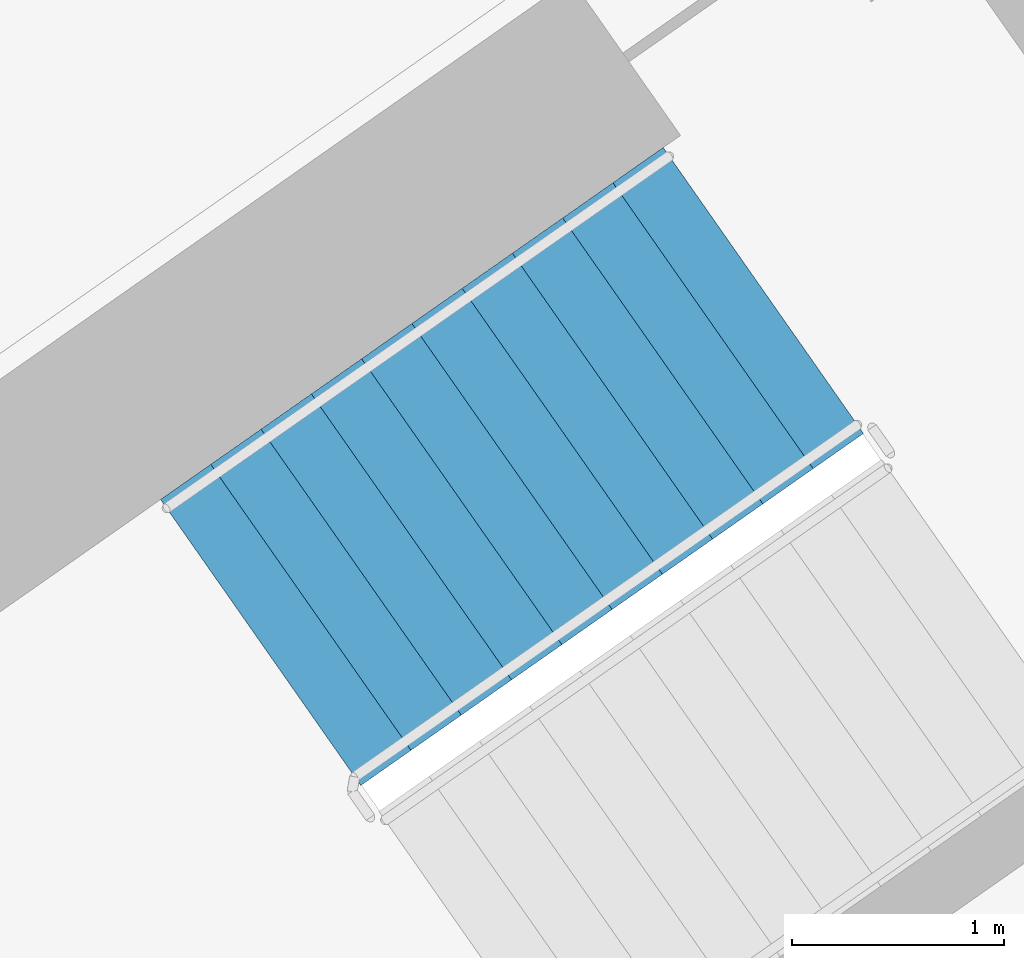
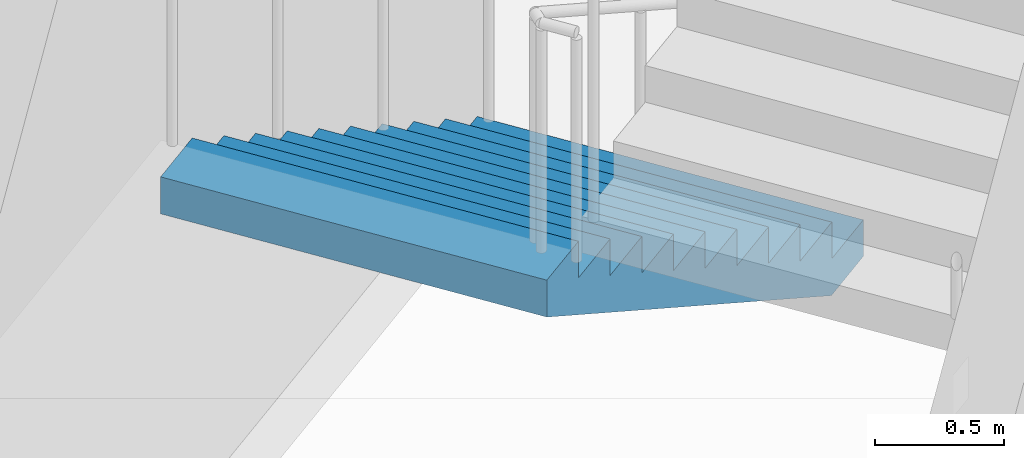
# One storey, part 18 of 32: 1 stair flight, 1 element without a shape of its own.
"""IFC4 building model written with IfcOpenShell, lengths in metres."""

from ifc_helpers import new_model, si_unit, direction, frame, origin, place, context, subcontext, project, spatial, faceted_brep, material, type_object, element, aggregate, save


model = new_model("IFC4")

# Units and contexts
model_context = context("Model", 3, precision=1e-05, world=origin(), true_north=direction((0.0, 1.0)))
body_context = subcontext(model_context, "Body", "Model", "MODEL_VIEW")
ifc_project = project(units=[si_unit("LENGTHUNIT", "METRE"), si_unit("AREAUNIT", "SQUARE_METRE"), si_unit("VOLUMEUNIT", "CUBIC_METRE"), si_unit("PLANEANGLEUNIT", "RADIAN"), si_unit("MASSUNIT", "GRAM", prefix="KILO")], contexts=[model_context])

# Site, building, storey
site_placement = place(None, origin())
site = spatial("IfcSite", under=ifc_project, at=site_placement, CompositionType="ELEMENT")
building_placement = place(site_placement, origin())
building = spatial("IfcBuilding", under=site, at=building_placement, Name="Qamariyya Broadcast Tower", CompositionType="ELEMENT")
storey_placement = place(building_placement, frame((0.0, 0.0, 63.300048828125)))
storey = spatial("IfcBuildingStorey", under=building, at=storey_placement, Name="L12", CompositionType="ELEMENT", Elevation=63.300048828125)

# Stair, stair flight
ifc_material = material(Name="Concrete C50/60", Category="concrete")
stair_type = type_object("IfcStairType", Name="Exit stair 22 risers of 173 mm", PredefinedType="HALF_TURN_STAIR", material=ifc_material)
stair_placement = place(storey_placement, origin())
stair = element("IfcStair", 1, at=stair_placement, inside=storey, type_object=stair_type, Name="L12 Stair E2", PredefinedType="HALF_TURN_STAIR")
stair_flight_type = type_object("IfcStairFlightType", Name="Exit stair flight 11 risers of 173 mm", PredefinedType="STRAIGHT", material=ifc_material)
stair_flight_placement = place(storey_placement, frame((40.558837890625, -47.685302734375, 0.0), z_axis=(0.0, 0.0, 1.0), x_axis=(-0.819152044289, -0.573576436351, 0.0)))
stair_flight = element("IfcStairFlight", 2, at=stair_flight_placement, type_object=stair_flight_type, Name="ST-E2 flight 1", NumberOfRisers=11, NumberOfTreads=10, PredefinedType="STRAIGHT", RiserHeight=0.172727273, TreadLength=0.29, context=body_context, shape_type="Brep", body=[
    faceted_brep([(0.0, 0.824951171875, 0.0), (0.0, 0.824951171875, 0.172607421875), (0.2900390625, 0.824951171875, 0.172607421875), (0.2900390625, 0.824951171875, 0.345458984375), (0.580078125, 0.824951171875, 0.345458984375), (0.580078125, 0.824951171875, 0.51806640625), (0.8701171875, 0.824951171875, 0.51806640625), (0.8701171875, 0.824951171875, 0.69091796875), (1.159912109375, 0.824951171875, 0.69091796875), (1.159912109375, 0.824951171875, 0.863525390625), (1.449951171875, 0.824951171875, 0.863525390625), (1.449951171875, 0.824951171875, 1.036376953125), (1.739990234375, 0.824951171875, 1.036376953125), (1.739990234375, 0.824951171875, 1.208984375), (2.030029296875, 0.824951171875, 1.208984375), (2.030029296875, 0.824951171875, 1.3818359375), (2.320068359375, 0.824951171875, 1.3818359375), (2.320068359375, 0.824951171875, 1.554443359375), (2.610107421875, 0.824951171875, 1.554443359375), (2.610107421875, 0.824951171875, 1.727294921875), (2.89990234375, 0.824951171875, 1.727294921875), (2.89990234375, 0.824951171875, 1.552734375), (0.29296875, 0.824951171875, 0.0), (0.29296875, -0.824951171875, 0.0), (2.89990234375, -0.824951171875, 1.552734375), (2.89990234375, -0.824951171875, 1.727294921875), (2.610107421875, -0.824951171875, 1.727294921875), (2.610107421875, -0.824951171875, 1.554443359375), (2.320068359375, -0.824951171875, 1.554443359375), (2.320068359375, -0.824951171875, 1.3818359375), (2.030029296875, -0.824951171875, 1.3818359375), (2.030029296875, -0.824951171875, 1.208984375), (1.739990234375, -0.824951171875, 1.208984375), (1.739990234375, -0.824951171875, 1.036376953125), (1.449951171875, -0.824951171875, 1.036376953125), (1.449951171875, -0.824951171875, 0.863525390625), (1.159912109375, -0.824951171875, 0.863525390625), (1.159912109375, -0.824951171875, 0.69091796875), (0.8701171875, -0.824951171875, 0.69091796875), (0.8701171875, -0.824951171875, 0.51806640625), (0.580078125, -0.824951171875, 0.51806640625), (0.580078125, -0.824951171875, 0.345458984375), (0.2900390625, -0.824951171875, 0.345458984375), (0.2900390625, -0.824951171875, 0.172607421875), (0.0, -0.824951171875, 0.172607421875), (0.0, -0.824951171875, 0.0), (0.0, 0.10009765625, 0.0), (0.0, 0.086669921875, 0.0), (0.0, 0.0732421875, 0.0), (0.0, 0.06005859375, 0.0), (0.0, 0.046630859375, 0.0), (0.0, 0.033447265625, 0.0), (0.0, 0.02001953125, 0.0), (0.0, 0.006591796875, 0.0), (0.0, -0.006591796875, 0.0), (0.0, -0.02001953125, 0.0), (0.0, -0.033447265625, 0.0), (0.0, -0.046630859375, 0.0), (0.0, -0.06005859375, 0.0), (0.0, -0.0732421875, 0.0), (0.0, -0.086669921875, 0.0), (0.0, -0.10009765625, 0.0), (0.0, -0.10009765625, 0.172607421875), (0.0, -0.086669921875, 0.172607421875), (0.0, -0.0732421875, 0.172607421875), (0.0, -0.06005859375, 0.172607421875), (0.0, -0.046630859375, 0.172607421875), (0.0, -0.033447265625, 0.172607421875), (0.0, -0.02001953125, 0.172607421875), (0.0, -0.006591796875, 0.172607421875), (0.0, 0.006591796875, 0.172607421875), (0.0, 0.02001953125, 0.172607421875), (0.0, 0.033447265625, 0.172607421875), (0.0, 0.046630859375, 0.172607421875), (0.0, 0.06005859375, 0.172607421875), (0.0, 0.0732421875, 0.172607421875), (0.0, 0.086669921875, 0.172607421875), (0.0, 0.10009765625, 0.172607421875), (0.2900390625, -0.10009765625, 0.172607421875), (0.2900390625, -0.086669921875, 0.172607421875), (0.2900390625, -0.0732421875, 0.172607421875), (0.2900390625, -0.06005859375, 0.172607421875), (0.2900390625, -0.046630859375, 0.172607421875), (0.2900390625, -0.033447265625, 0.172607421875), (0.2900390625, -0.02001953125, 0.172607421875), (0.2900390625, -0.006591796875, 0.172607421875), (0.2900390625, 0.006591796875, 0.172607421875), (0.2900390625, 0.02001953125, 0.172607421875), (0.2900390625, 0.033447265625, 0.172607421875), (0.2900390625, 0.046630859375, 0.172607421875), (0.2900390625, 0.06005859375, 0.172607421875), (0.2900390625, 0.0732421875, 0.172607421875), (0.2900390625, 0.086669921875, 0.172607421875), (0.2900390625, 0.10009765625, 0.172607421875), (0.2900390625, -0.10009765625, 0.345458984375), (0.2900390625, -0.086669921875, 0.345458984375), (0.2900390625, -0.0732421875, 0.345458984375), (0.2900390625, -0.06005859375, 0.345458984375), (0.2900390625, -0.046630859375, 0.345458984375), (0.2900390625, -0.033447265625, 0.345458984375), (0.2900390625, -0.02001953125, 0.345458984375), (0.2900390625, -0.006591796875, 0.345458984375), (0.2900390625, 0.006591796875, 0.345458984375), (0.2900390625, 0.02001953125, 0.345458984375), (0.2900390625, 0.033447265625, 0.345458984375), (0.2900390625, 0.046630859375, 0.345458984375), (0.2900390625, 0.06005859375, 0.345458984375), (0.2900390625, 0.0732421875, 0.345458984375), (0.2900390625, 0.086669921875, 0.345458984375), (0.2900390625, 0.10009765625, 0.345458984375), (0.580078125, -0.10009765625, 0.345458984375), (0.580078125, -0.086669921875, 0.345458984375), (0.580078125, -0.0732421875, 0.345458984375), (0.580078125, -0.06005859375, 0.345458984375), (0.580078125, -0.046630859375, 0.345458984375), (0.580078125, -0.033447265625, 0.345458984375), (0.580078125, -0.02001953125, 0.345458984375), (0.580078125, -0.006591796875, 0.345458984375), (0.580078125, 0.006591796875, 0.345458984375), (0.580078125, 0.02001953125, 0.345458984375), (0.580078125, 0.033447265625, 0.345458984375), (0.580078125, 0.046630859375, 0.345458984375), (0.580078125, 0.06005859375, 0.345458984375), (0.580078125, 0.0732421875, 0.345458984375), (0.580078125, 0.086669921875, 0.345458984375), (0.580078125, 0.10009765625, 0.345458984375), (0.580078125, -0.10009765625, 0.51806640625), (0.580078125, -0.086669921875, 0.51806640625), (0.580078125, -0.0732421875, 0.51806640625), (0.580078125, -0.06005859375, 0.51806640625), (0.580078125, -0.046630859375, 0.51806640625), (0.580078125, -0.033447265625, 0.51806640625), (0.580078125, -0.02001953125, 0.51806640625), (0.580078125, -0.006591796875, 0.51806640625), (0.580078125, 0.006591796875, 0.51806640625), (0.580078125, 0.02001953125, 0.51806640625), (0.580078125, 0.033447265625, 0.51806640625), (0.580078125, 0.046630859375, 0.51806640625), (0.580078125, 0.06005859375, 0.51806640625), (0.580078125, 0.0732421875, 0.51806640625), (0.580078125, 0.086669921875, 0.51806640625), (0.580078125, 0.10009765625, 0.51806640625), (0.8701171875, -0.10009765625, 0.51806640625), (0.8701171875, -0.086669921875, 0.51806640625), (0.8701171875, -0.0732421875, 0.51806640625), (0.8701171875, -0.06005859375, 0.51806640625), (0.8701171875, -0.046630859375, 0.51806640625), (0.8701171875, -0.033447265625, 0.51806640625), (0.8701171875, -0.02001953125, 0.51806640625), (0.8701171875, -0.006591796875, 0.51806640625), (0.8701171875, 0.006591796875, 0.51806640625), (0.8701171875, 0.02001953125, 0.51806640625), (0.8701171875, 0.033447265625, 0.51806640625), (0.8701171875, 0.046630859375, 0.51806640625), (0.8701171875, 0.06005859375, 0.51806640625), (0.8701171875, 0.0732421875, 0.51806640625), (0.8701171875, 0.086669921875, 0.51806640625), (0.8701171875, 0.10009765625, 0.51806640625), (0.8701171875, -0.10009765625, 0.69091796875), (0.8701171875, -0.086669921875, 0.69091796875), (0.8701171875, -0.0732421875, 0.69091796875), (0.8701171875, -0.06005859375, 0.69091796875), (0.8701171875, -0.046630859375, 0.69091796875), (0.8701171875, -0.033447265625, 0.69091796875), (0.8701171875, -0.02001953125, 0.69091796875), (0.8701171875, -0.006591796875, 0.69091796875), (0.8701171875, 0.006591796875, 0.69091796875), (0.8701171875, 0.02001953125, 0.69091796875), (0.8701171875, 0.033447265625, 0.69091796875), (0.8701171875, 0.046630859375, 0.69091796875), (0.8701171875, 0.06005859375, 0.69091796875), (0.8701171875, 0.0732421875, 0.69091796875), (0.8701171875, 0.086669921875, 0.69091796875), (0.8701171875, 0.10009765625, 0.69091796875), (1.159912109375, -0.10009765625, 0.69091796875), (1.159912109375, -0.086669921875, 0.69091796875), (1.159912109375, -0.0732421875, 0.69091796875), (1.159912109375, -0.06005859375, 0.69091796875), (1.159912109375, -0.046630859375, 0.69091796875), (1.159912109375, -0.033447265625, 0.69091796875), (1.159912109375, -0.02001953125, 0.69091796875), (1.159912109375, -0.006591796875, 0.69091796875), (1.159912109375, 0.006591796875, 0.69091796875), (1.159912109375, 0.02001953125, 0.69091796875), (1.159912109375, 0.033447265625, 0.69091796875), (1.159912109375, 0.046630859375, 0.69091796875), (1.159912109375, 0.06005859375, 0.69091796875), (1.159912109375, 0.0732421875, 0.69091796875), (1.159912109375, 0.086669921875, 0.69091796875), (1.159912109375, 0.10009765625, 0.69091796875), (1.159912109375, -0.10009765625, 0.863525390625), (1.159912109375, -0.086669921875, 0.863525390625), (1.159912109375, -0.0732421875, 0.863525390625), (1.159912109375, -0.06005859375, 0.863525390625), (1.159912109375, -0.046630859375, 0.863525390625), (1.159912109375, -0.033447265625, 0.863525390625), (1.159912109375, -0.02001953125, 0.863525390625), (1.159912109375, -0.006591796875, 0.863525390625), (1.159912109375, 0.006591796875, 0.863525390625), (1.159912109375, 0.02001953125, 0.863525390625), (1.159912109375, 0.033447265625, 0.863525390625), (1.159912109375, 0.046630859375, 0.863525390625), (1.159912109375, 0.06005859375, 0.863525390625), (1.159912109375, 0.0732421875, 0.863525390625), (1.159912109375, 0.086669921875, 0.863525390625), (1.159912109375, 0.10009765625, 0.863525390625), (1.449951171875, -0.10009765625, 0.863525390625), (1.449951171875, -0.086669921875, 0.863525390625), (1.449951171875, -0.0732421875, 0.863525390625), (1.449951171875, -0.06005859375, 0.863525390625), (1.449951171875, -0.046630859375, 0.863525390625), (1.449951171875, -0.033447265625, 0.863525390625), (1.449951171875, -0.02001953125, 0.863525390625), (1.449951171875, -0.006591796875, 0.863525390625), (1.449951171875, 0.006591796875, 0.863525390625), (1.449951171875, 0.02001953125, 0.863525390625), (1.449951171875, 0.033447265625, 0.863525390625), (1.449951171875, 0.046630859375, 0.863525390625), (1.449951171875, 0.06005859375, 0.863525390625), (1.449951171875, 0.0732421875, 0.863525390625), (1.449951171875, 0.086669921875, 0.863525390625), (1.449951171875, 0.10009765625, 0.863525390625), (1.449951171875, -0.10009765625, 1.036376953125), (1.449951171875, -0.086669921875, 1.036376953125), (1.449951171875, -0.0732421875, 1.036376953125), (1.449951171875, -0.06005859375, 1.036376953125), (1.449951171875, -0.046630859375, 1.036376953125), (1.449951171875, -0.033447265625, 1.036376953125), (1.449951171875, -0.02001953125, 1.036376953125), (1.449951171875, -0.006591796875, 1.036376953125), (1.449951171875, 0.006591796875, 1.036376953125), (1.449951171875, 0.02001953125, 1.036376953125), (1.449951171875, 0.033447265625, 1.036376953125), (1.449951171875, 0.046630859375, 1.036376953125), (1.449951171875, 0.06005859375, 1.036376953125), (1.449951171875, 0.0732421875, 1.036376953125), (1.449951171875, 0.086669921875, 1.036376953125), (1.449951171875, 0.10009765625, 1.036376953125), (1.739990234375, -0.10009765625, 1.036376953125), (1.739990234375, -0.086669921875, 1.036376953125), (1.739990234375, -0.0732421875, 1.036376953125), (1.739990234375, -0.06005859375, 1.036376953125), (1.739990234375, -0.046630859375, 1.036376953125), (1.739990234375, -0.033447265625, 1.036376953125), (1.739990234375, -0.02001953125, 1.036376953125), (1.739990234375, -0.006591796875, 1.036376953125), (1.739990234375, 0.006591796875, 1.036376953125), (1.739990234375, 0.02001953125, 1.036376953125), (1.739990234375, 0.033447265625, 1.036376953125), (1.739990234375, 0.046630859375, 1.036376953125), (1.739990234375, 0.06005859375, 1.036376953125), (1.739990234375, 0.0732421875, 1.036376953125), (1.739990234375, 0.086669921875, 1.036376953125), (1.739990234375, 0.10009765625, 1.036376953125), (1.739990234375, -0.10009765625, 1.208984375), (1.739990234375, -0.086669921875, 1.208984375), (1.739990234375, -0.0732421875, 1.208984375), (1.739990234375, -0.06005859375, 1.208984375), (1.739990234375, -0.046630859375, 1.208984375), (1.739990234375, -0.033447265625, 1.208984375), (1.739990234375, -0.02001953125, 1.208984375), (1.739990234375, -0.006591796875, 1.208984375), (1.739990234375, 0.006591796875, 1.208984375), (1.739990234375, 0.02001953125, 1.208984375), (1.739990234375, 0.033447265625, 1.208984375), (1.739990234375, 0.046630859375, 1.208984375), (1.739990234375, 0.06005859375, 1.208984375), (1.739990234375, 0.0732421875, 1.208984375), (1.739990234375, 0.086669921875, 1.208984375), (1.739990234375, 0.10009765625, 1.208984375), (2.030029296875, -0.10009765625, 1.208984375), (2.030029296875, -0.086669921875, 1.208984375), (2.030029296875, -0.0732421875, 1.208984375), (2.030029296875, -0.06005859375, 1.208984375), (2.030029296875, -0.046630859375, 1.208984375), (2.030029296875, -0.033447265625, 1.208984375), (2.030029296875, -0.02001953125, 1.208984375), (2.030029296875, -0.006591796875, 1.208984375), (2.030029296875, 0.006591796875, 1.208984375), (2.030029296875, 0.02001953125, 1.208984375), (2.030029296875, 0.033447265625, 1.208984375), (2.030029296875, 0.046630859375, 1.208984375), (2.030029296875, 0.06005859375, 1.208984375), (2.030029296875, 0.0732421875, 1.208984375), (2.030029296875, 0.086669921875, 1.208984375), (2.030029296875, 0.10009765625, 1.208984375), (2.030029296875, -0.10009765625, 1.3818359375), (2.030029296875, -0.086669921875, 1.3818359375), (2.030029296875, -0.0732421875, 1.3818359375), (2.030029296875, -0.06005859375, 1.3818359375), (2.030029296875, -0.046630859375, 1.3818359375), (2.030029296875, -0.033447265625, 1.3818359375), (2.030029296875, -0.02001953125, 1.3818359375), (2.030029296875, -0.006591796875, 1.3818359375), (2.030029296875, 0.006591796875, 1.3818359375), (2.030029296875, 0.02001953125, 1.3818359375), (2.030029296875, 0.033447265625, 1.3818359375), (2.030029296875, 0.046630859375, 1.3818359375), (2.030029296875, 0.06005859375, 1.3818359375), (2.030029296875, 0.0732421875, 1.3818359375), (2.030029296875, 0.086669921875, 1.3818359375), (2.030029296875, 0.10009765625, 1.3818359375), (2.320068359375, -0.10009765625, 1.3818359375), (2.320068359375, -0.086669921875, 1.3818359375), (2.320068359375, -0.0732421875, 1.3818359375), (2.320068359375, -0.06005859375, 1.3818359375), (2.320068359375, -0.046630859375, 1.3818359375), (2.320068359375, -0.033447265625, 1.3818359375), (2.320068359375, -0.02001953125, 1.3818359375), (2.320068359375, -0.006591796875, 1.3818359375), (2.320068359375, 0.006591796875, 1.3818359375), (2.320068359375, 0.02001953125, 1.3818359375), (2.320068359375, 0.033447265625, 1.3818359375), (2.320068359375, 0.046630859375, 1.3818359375), (2.320068359375, 0.06005859375, 1.3818359375), (2.320068359375, 0.0732421875, 1.3818359375), (2.320068359375, 0.086669921875, 1.3818359375), (2.320068359375, 0.10009765625, 1.3818359375), (2.320068359375, -0.10009765625, 1.554443359375), (2.320068359375, -0.086669921875, 1.554443359375), (2.320068359375, -0.0732421875, 1.554443359375), (2.320068359375, -0.06005859375, 1.554443359375), (2.320068359375, -0.046630859375, 1.554443359375), (2.320068359375, -0.033447265625, 1.554443359375), (2.320068359375, -0.02001953125, 1.554443359375), (2.320068359375, -0.006591796875, 1.554443359375), (2.320068359375, 0.006591796875, 1.554443359375), (2.320068359375, 0.02001953125, 1.554443359375), (2.320068359375, 0.033447265625, 1.554443359375), (2.320068359375, 0.046630859375, 1.554443359375), (2.320068359375, 0.06005859375, 1.554443359375), (2.320068359375, 0.0732421875, 1.554443359375), (2.320068359375, 0.086669921875, 1.554443359375), (2.320068359375, 0.10009765625, 1.554443359375), (2.610107421875, -0.10009765625, 1.554443359375), (2.610107421875, -0.086669921875, 1.554443359375), (2.610107421875, -0.0732421875, 1.554443359375), (2.610107421875, -0.06005859375, 1.554443359375), (2.610107421875, -0.046630859375, 1.554443359375), (2.610107421875, -0.033447265625, 1.554443359375), (2.610107421875, -0.02001953125, 1.554443359375), (2.610107421875, -0.006591796875, 1.554443359375), (2.610107421875, 0.006591796875, 1.554443359375), (2.610107421875, 0.02001953125, 1.554443359375), (2.610107421875, 0.033447265625, 1.554443359375), (2.610107421875, 0.046630859375, 1.554443359375), (2.610107421875, 0.06005859375, 1.554443359375), (2.610107421875, 0.0732421875, 1.554443359375), (2.610107421875, 0.086669921875, 1.554443359375), (2.610107421875, 0.10009765625, 1.554443359375), (2.610107421875, -0.10009765625, 1.727294921875), (2.610107421875, -0.086669921875, 1.727294921875), (2.610107421875, -0.0732421875, 1.727294921875), (2.610107421875, -0.06005859375, 1.727294921875), (2.610107421875, -0.046630859375, 1.727294921875), (2.610107421875, -0.033447265625, 1.727294921875), (2.610107421875, -0.02001953125, 1.727294921875), (2.610107421875, -0.006591796875, 1.727294921875), (2.610107421875, 0.006591796875, 1.727294921875), (2.610107421875, 0.02001953125, 1.727294921875), (2.610107421875, 0.033447265625, 1.727294921875), (2.610107421875, 0.046630859375, 1.727294921875), (2.610107421875, 0.06005859375, 1.727294921875), (2.610107421875, 0.0732421875, 1.727294921875), (2.610107421875, 0.086669921875, 1.727294921875), (2.610107421875, 0.10009765625, 1.727294921875), (2.89990234375, -0.10009765625, 1.727294921875), (2.89990234375, -0.086669921875, 1.727294921875), (2.89990234375, -0.0732421875, 1.727294921875), (2.89990234375, -0.06005859375, 1.727294921875), (2.89990234375, -0.046630859375, 1.727294921875), (2.89990234375, -0.033447265625, 1.727294921875), (2.89990234375, -0.02001953125, 1.727294921875), (2.89990234375, -0.006591796875, 1.727294921875), (2.89990234375, 0.006591796875, 1.727294921875), (2.89990234375, 0.02001953125, 1.727294921875), (2.89990234375, 0.033447265625, 1.727294921875), (2.89990234375, 0.046630859375, 1.727294921875), (2.89990234375, 0.06005859375, 1.727294921875), (2.89990234375, 0.0732421875, 1.727294921875), (2.89990234375, 0.086669921875, 1.727294921875), (2.89990234375, 0.10009765625, 1.727294921875), (2.89990234375, -0.10009765625, 1.552734375), (2.89990234375, -0.086669921875, 1.552734375), (2.89990234375, -0.0732421875, 1.552734375), (2.89990234375, -0.06005859375, 1.552734375), (2.89990234375, -0.046630859375, 1.552734375), (2.89990234375, -0.033447265625, 1.552734375), (2.89990234375, -0.02001953125, 1.552734375), (2.89990234375, -0.006591796875, 1.552734375), (2.89990234375, 0.006591796875, 1.552734375), (2.89990234375, 0.02001953125, 1.552734375), (2.89990234375, 0.033447265625, 1.552734375), (2.89990234375, 0.046630859375, 1.552734375), (2.89990234375, 0.06005859375, 1.552734375), (2.89990234375, 0.0732421875, 1.552734375), (2.89990234375, 0.086669921875, 1.552734375), (2.89990234375, 0.10009765625, 1.552734375), (0.29296875, -0.10009765625, 0.0), (0.29296875, -0.086669921875, 0.0), (0.29296875, -0.0732421875, 0.0), (0.29296875, -0.06005859375, 0.0), (0.29296875, -0.046630859375, 0.0), (0.29296875, -0.033447265625, 0.0), (0.29296875, -0.02001953125, 0.0), (0.29296875, -0.006591796875, 0.0), (0.29296875, 0.006591796875, 0.0), (0.29296875, 0.02001953125, 0.0), (0.29296875, 0.033447265625, 0.0), (0.29296875, 0.046630859375, 0.0), (0.29296875, 0.06005859375, 0.0), (0.29296875, 0.0732421875, 0.0), (0.29296875, 0.086669921875, 0.0), (0.29296875, 0.10009765625, 0.0)], [[[0, 1, 2, 3, 4, 5, 6, 7, 8, 9, 10, 11, 12, 13, 14, 15, 16, 17, 18, 19, 20, 21, 22]], [[23, 24, 25, 26, 27, 28, 29, 30, 31, 32, 33, 34, 35, 36, 37, 38, 39, 40, 41, 42, 43, 44, 45]], [[0, 46, 47, 48, 49, 50, 51, 52, 53, 54, 55, 56, 57, 58, 59, 60, 61, 45, 44, 62, 63, 64, 65, 66, 67, 68, 69, 70, 71, 72, 73, 74, 75, 76, 77, 1]], [[1, 77, 76, 75, 74, 73, 72, 71, 70, 69, 68, 67, 66, 65, 64, 63, 62, 44, 43, 78, 79, 80, 81, 82, 83, 84, 85, 86, 87, 88, 89, 90, 91, 92, 93, 2]], [[2, 93, 92, 91, 90, 89, 88, 87, 86, 85, 84, 83, 82, 81, 80, 79, 78, 43, 42, 94, 95, 96, 97, 98, 99, 100, 101, 102, 103, 104, 105, 106, 107, 108, 109, 3]], [[3, 109, 108, 107, 106, 105, 104, 103, 102, 101, 100, 99, 98, 97, 96, 95, 94, 42, 41, 110, 111, 112, 113, 114, 115, 116, 117, 118, 119, 120, 121, 122, 123, 124, 125, 4]], [[4, 125, 124, 123, 122, 121, 120, 119, 118, 117, 116, 115, 114, 113, 112, 111, 110, 41, 40, 126, 127, 128, 129, 130, 131, 132, 133, 134, 135, 136, 137, 138, 139, 140, 141, 5]], [[5, 141, 140, 139, 138, 137, 136, 135, 134, 133, 132, 131, 130, 129, 128, 127, 126, 40, 39, 142, 143, 144, 145, 146, 147, 148, 149, 150, 151, 152, 153, 154, 155, 156, 157, 6]], [[6, 157, 156, 155, 154, 153, 152, 151, 150, 149, 148, 147, 146, 145, 144, 143, 142, 39, 38, 158, 159, 160, 161, 162, 163, 164, 165, 166, 167, 168, 169, 170, 171, 172, 173, 7]], [[7, 173, 172, 171, 170, 169, 168, 167, 166, 165, 164, 163, 162, 161, 160, 159, 158, 38, 37, 174, 175, 176, 177, 178, 179, 180, 181, 182, 183, 184, 185, 186, 187, 188, 189, 8]], [[8, 189, 188, 187, 186, 185, 184, 183, 182, 181, 180, 179, 178, 177, 176, 175, 174, 37, 36, 190, 191, 192, 193, 194, 195, 196, 197, 198, 199, 200, 201, 202, 203, 204, 205, 9]], [[9, 205, 204, 203, 202, 201, 200, 199, 198, 197, 196, 195, 194, 193, 192, 191, 190, 36, 35, 206, 207, 208, 209, 210, 211, 212, 213, 214, 215, 216, 217, 218, 219, 220, 221, 10]], [[10, 221, 220, 219, 218, 217, 216, 215, 214, 213, 212, 211, 210, 209, 208, 207, 206, 35, 34, 222, 223, 224, 225, 226, 227, 228, 229, 230, 231, 232, 233, 234, 235, 236, 237, 11]], [[11, 237, 236, 235, 234, 233, 232, 231, 230, 229, 228, 227, 226, 225, 224, 223, 222, 34, 33, 238, 239, 240, 241, 242, 243, 244, 245, 246, 247, 248, 249, 250, 251, 252, 253, 12]], [[12, 253, 252, 251, 250, 249, 248, 247, 246, 245, 244, 243, 242, 241, 240, 239, 238, 33, 32, 254, 255, 256, 257, 258, 259, 260, 261, 262, 263, 264, 265, 266, 267, 268, 269, 13]], [[13, 269, 268, 267, 266, 265, 264, 263, 262, 261, 260, 259, 258, 257, 256, 255, 254, 32, 31, 270, 271, 272, 273, 274, 275, 276, 277, 278, 279, 280, 281, 282, 283, 284, 285, 14]], [[14, 285, 284, 283, 282, 281, 280, 279, 278, 277, 276, 275, 274, 273, 272, 271, 270, 31, 30, 286, 287, 288, 289, 290, 291, 292, 293, 294, 295, 296, 297, 298, 299, 300, 301, 15]], [[15, 301, 300, 299, 298, 297, 296, 295, 294, 293, 292, 291, 290, 289, 288, 287, 286, 30, 29, 302, 303, 304, 305, 306, 307, 308, 309, 310, 311, 312, 313, 314, 315, 316, 317, 16]], [[16, 317, 316, 315, 314, 313, 312, 311, 310, 309, 308, 307, 306, 305, 304, 303, 302, 29, 28, 318, 319, 320, 321, 322, 323, 324, 325, 326, 327, 328, 329, 330, 331, 332, 333, 17]], [[17, 333, 332, 331, 330, 329, 328, 327, 326, 325, 324, 323, 322, 321, 320, 319, 318, 28, 27, 334, 335, 336, 337, 338, 339, 340, 341, 342, 343, 344, 345, 346, 347, 348, 349, 18]], [[18, 349, 348, 347, 346, 345, 344, 343, 342, 341, 340, 339, 338, 337, 336, 335, 334, 27, 26, 350, 351, 352, 353, 354, 355, 356, 357, 358, 359, 360, 361, 362, 363, 364, 365, 19]], [[19, 365, 364, 363, 362, 361, 360, 359, 358, 357, 356, 355, 354, 353, 352, 351, 350, 26, 25, 366, 367, 368, 369, 370, 371, 372, 373, 374, 375, 376, 377, 378, 379, 380, 381, 20]], [[20, 381, 380, 379, 378, 377, 376, 375, 374, 373, 372, 371, 370, 369, 368, 367, 366, 25, 24, 382, 383, 384, 385, 386, 387, 388, 389, 390, 391, 392, 393, 394, 395, 396, 397, 21]], [[21, 397, 396, 395, 394, 393, 392, 391, 390, 389, 388, 387, 386, 385, 384, 383, 382, 24, 23, 398, 399, 400, 401, 402, 403, 404, 405, 406, 407, 408, 409, 410, 411, 412, 413, 22]], [[22, 413, 412, 411, 410, 409, 408, 407, 406, 405, 404, 403, 402, 401, 400, 399, 398, 23, 45, 61, 60, 59, 58, 57, 56, 55, 54, 53, 52, 51, 50, 49, 48, 47, 46, 0]]]),
])
aggregate(stair, [stair_flight])

save(model, "model.ifc")
